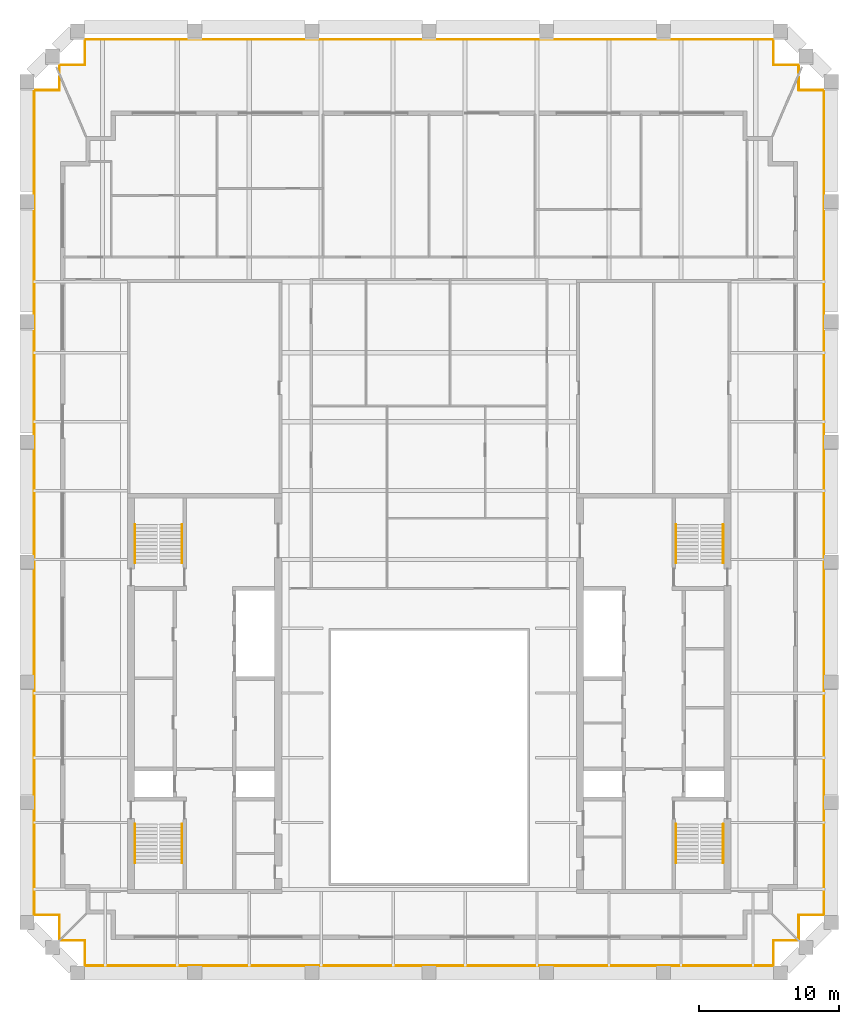
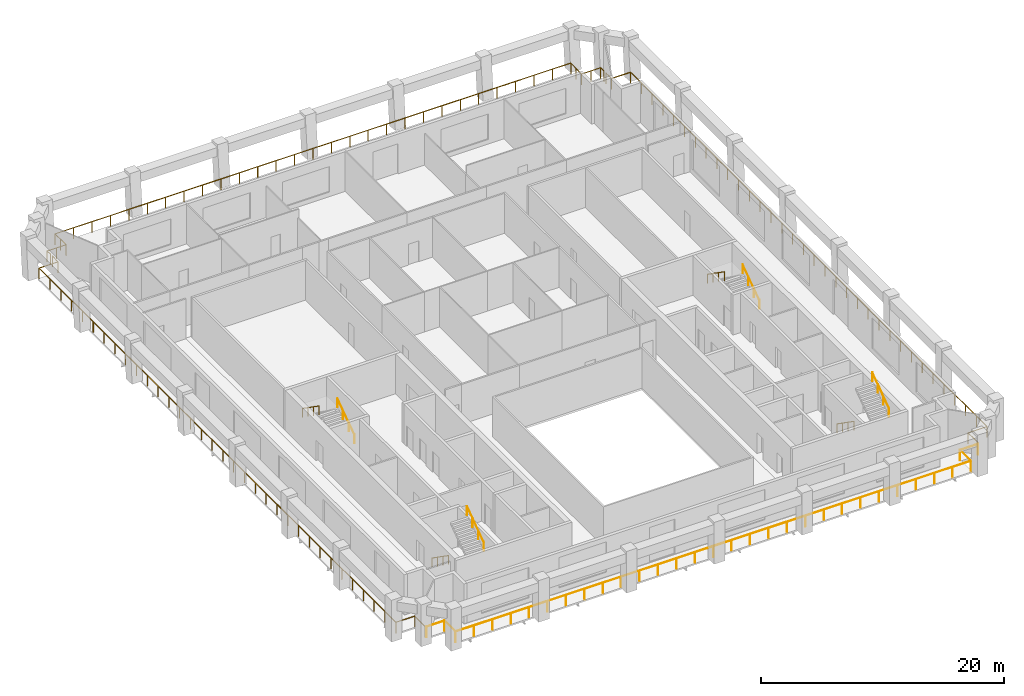
# One storey, part 8 of 8: 12 railings.
"""IFC4 building model written with IfcOpenShell, lengths in metres."""

import ifcopenshell
import ifcopenshell.guid

model = None  # the IFC model being written
_history = None  # IfcOwnerHistory: only IFC2X3 demands one
_inside = {}  # id of a spatial element -> (the spatial element, [elements in it])
_under = {}  # id of a project, library or spatial element -> (it, [spatial elements below it])
_declared = {}  # id of a project -> (the project, [libraries it declares])
_typed = {}  # id of a type object -> (the type object, [elements of that type])
_made_of = {}  # id of a material, layer set ... -> (it, [elements and type objects made of it])


def new_model(schema):
    """Start an empty IFC model of exactly this schema.

    Asked for "IFC4X3", IfcOpenShell would pick the latest addendum, in which some entities
    have other attributes; the version numbers below select the first issue.
    IFC2X3 requires an IfcOwnerHistory on every rooted entity: one is made here for all.
    """
    global model, _history
    if schema == "IFC4X3":
        model = ifcopenshell.file(schema_version=(4, 3, 0, 0))
    else:
        model = ifcopenshell.file(schema=schema)
    _inside.clear()
    _under.clear()
    _declared.clear()
    _typed.clear()
    _made_of.clear()
    _history = None
    if model.schema == "IFC2X3":
        org = make("IfcOrganization", Name="unknown")
        user = make(
            "IfcPersonAndOrganization",
            ThePerson=make("IfcPerson", FamilyName="unknown"),
            TheOrganization=org,
        )
        app = make(
            "IfcApplication",
            ApplicationDeveloper=org,
            Version="unknown",
            ApplicationFullName="unknown",
            ApplicationIdentifier="unknown",
        )
        _history = make(
            "IfcOwnerHistory",
            OwningUser=user,
            OwningApplication=app,
            ChangeAction="ADDED",
            CreationDate=0,
        )
    return model


def make(cls, **values):
    """One entity of the class cls with the attributes given. An attribute that is None is left unset."""
    return model.create_entity(
        cls, **{name: value for name, value in values.items() if value is not None}
    )


def rooted(cls, **values):
    """An entity with a GlobalId (a new one), such as an element, a storey or a relation."""
    return make(cls, GlobalId=ifcopenshell.guid.new(), OwnerHistory=_history, **values)


def si_unit(unit_type, name, prefix=None):
    """IfcSIUnit, for example si_unit("LENGTHUNIT", "METRE", prefix="MILLI")."""
    return make("IfcSIUnit", UnitType=unit_type, Prefix=prefix, Name=name)


def assignment(units):
    """IfcUnitAssignment: the units of a project."""
    return None if units is None else make("IfcUnitAssignment", Units=units)


def point(xyz):
    """IfcCartesianPoint."""
    return None if xyz is None else make("IfcCartesianPoint", Coordinates=xyz)


def direction(xyz):
    """IfcDirection."""
    return None if xyz is None else make("IfcDirection", DirectionRatios=xyz)


def frame(location, z_axis=None, x_axis=None):
    """IfcAxis2Placement3D, a coordinate frame: its origin and axes. An axis left out is left unset."""
    return make(
        "IfcAxis2Placement3D",
        Location=point(location),
        Axis=direction(z_axis),
        RefDirection=direction(x_axis),
    )


def frame_2d(location, x_axis=None):
    """IfcAxis2Placement2D, a coordinate frame in the plane: its origin and x axis."""
    return make(
        "IfcAxis2Placement2D", Location=point(location), RefDirection=direction(x_axis)
    )


def origin():
    """The frame at (0, 0, 0) with its axes left unset."""
    return frame((0.0, 0.0, 0.0))


def origin_2d():
    """The frame at (0, 0) in the plane with its x axis left unset."""
    return frame_2d((0.0, 0.0))


def place(relative_to, where):
    """IfcLocalPlacement: puts the frame where relative to a parent placement (None: the world)."""
    return make(
        "IfcLocalPlacement", PlacementRelTo=relative_to, RelativePlacement=where
    )


def context(
    kind, dimensions, precision=None, world=None, true_north=None, identifier=None
):
    """IfcGeometricRepresentationContext, for example the 3D "Model" context."""
    return make(
        "IfcGeometricRepresentationContext",
        ContextIdentifier=identifier,
        ContextType=kind,
        CoordinateSpaceDimension=dimensions,
        Precision=precision,
        WorldCoordinateSystem=world,
        TrueNorth=true_north,
    )


def subcontext(parent, identifier, kind, view, scale=None):
    """IfcGeometricRepresentationSubContext, for example "Body" below "Model"."""
    return make(
        "IfcGeometricRepresentationSubContext",
        ContextIdentifier=identifier,
        ContextType=kind,
        ParentContext=parent,
        TargetScale=scale,
        TargetView=view,
    )


def project(units=None, contexts=None):
    """IfcProject with its units and contexts."""
    return rooted(
        "IfcProject",
        Name="project",
        RepresentationContexts=contexts,
        UnitsInContext=assignment(units),
    )


def spatial(cls, under=None, at=None, **own):
    """A site, building, storey or space (cls), placed at a placement, below another one or the project."""
    s = rooted(cls, ObjectPlacement=at, **own)
    if under is not None:
        _under.setdefault(under.id(), (under, []))[1].append(s)
    return s


def profile(cls, at=None, kind="AREA", **sizes):
    """A parametric profile (cls). Its sizes go by their IFC names, for example OverallWidth=200.0."""
    return make(cls, ProfileType=kind, Position=at, **sizes)


def circle(**sizes):
    """IfcCircleProfileDef."""
    return profile("IfcCircleProfileDef", **sizes)


def extrude(swept, where, along, depth):
    """IfcExtrudedAreaSolid: the profile swept, set in the frame where, extruded along a direction by depth."""
    return make(
        "IfcExtrudedAreaSolid",
        SweptArea=swept,
        Position=where,
        ExtrudedDirection=direction(along),
        Depth=depth,
    )


def shape(context_of_items, identifier, shape_type, items):
    """IfcShapeRepresentation: the items that make up one representation, for example the "Body"."""
    return make(
        "IfcShapeRepresentation",
        ContextOfItems=context_of_items,
        RepresentationIdentifier=identifier,
        RepresentationType=shape_type,
        Items=items,
    )


def material(Name=None, Category=None):
    """IfcMaterial."""
    return make("IfcMaterial", Name=Name, Category=Category)


def made_of(thing, what):
    """Note that an element or type object is made of a material, layer set ...; save() writes the relation."""
    if what is not None:
        _made_of.setdefault(what.id(), (what, []))[1].append(thing)
    return thing


def type_object(cls, material=None, **own):
    """A type object (cls), such as IfcWallType, which elements share."""
    return made_of(rooted(cls, **own), material)


def element(
    cls,
    number,
    at=None,
    inside=None,
    cuts=None,
    type_object=None,
    material=None,
    context=None,
    identifier="Body",
    shape_type=None,
    held_by="IfcProductDefinitionShape",
    body=None,
    shapes=None,
    **own,
):
    """One element of the class cls, such as IfcWall. Its Tag is "e" and its number.

    at: its placement. inside: the storey or other place that contains it. cuts: it is an
    opening in that element (IfcRelVoidsElement). A single representation is given by context,
    identifier, shape_type and body (its items); several are given by shapes. held_by: the class
    of the entity that holds the representations. save() writes the other relations.
    """
    e = rooted(cls, Tag="e%d" % number, ObjectPlacement=at, **own)
    if body is not None:
        shapes = [shape(context, identifier, shape_type, body)]
    if shapes is not None:
        e.Representation = make(held_by, Representations=shapes)
    if inside is not None:
        _inside.setdefault(inside.id(), (inside, []))[1].append(e)
    if cuts is not None:
        rooted(
            "IfcRelVoidsElement", RelatingBuildingElement=cuts, RelatedOpeningElement=e
        )
    if type_object is not None:
        _typed.setdefault(type_object.id(), (type_object, []))[1].append(e)
    return made_of(e, material)


def aggregate(whole, parts):
    """IfcRelAggregates: a whole, such as a stair, and the parts it consists of."""
    return rooted("IfcRelAggregates", RelatingObject=whole, RelatedObjects=parts)


def save(model, path):
    """Write the relations noted so far, then the file.

    IfcRelAggregates (storeys below a building ...), IfcRelContainedInSpatialStructure (elements
    in a storey), IfcRelDefinesByType, IfcRelAssociatesMaterial and IfcRelDeclares: one each for
    every whole, place, type object, material and project.
    """
    for whole, parts in _under.values():
        aggregate(whole, parts)
    for where, things in _inside.values():
        rooted(
            "IfcRelContainedInSpatialStructure",
            RelatedElements=things,
            RelatingStructure=where,
        )
    for kind, things in _typed.values():
        rooted("IfcRelDefinesByType", RelatedObjects=things, RelatingType=kind)
    for what, things in _made_of.values():
        rooted("IfcRelAssociatesMaterial", RelatedObjects=things, RelatingMaterial=what)
    for by, libraries in _declared.values():
        rooted("IfcRelDeclares", RelatingContext=by, RelatedDefinitions=libraries)
    model.write(path)


model = new_model("IFC4")

# Units and contexts
model_context = context("Model", 3, precision=1e-05, world=origin(), true_north=direction((0.0, 1.0)))
body_context = subcontext(model_context, "Body", "Model", "MODEL_VIEW")
ifc_project = project(units=[si_unit("LENGTHUNIT", "METRE"), si_unit("AREAUNIT", "SQUARE_METRE"), si_unit("VOLUMEUNIT", "CUBIC_METRE"), si_unit("PLANEANGLEUNIT", "RADIAN"), si_unit("MASSUNIT", "GRAM", prefix="KILO")], contexts=[model_context])

# Site, building, storey
site_placement = place(None, origin())
site = spatial("IfcSite", under=ifc_project, at=site_placement, CompositionType="ELEMENT")
building_placement = place(site_placement, origin())
building = spatial("IfcBuilding", under=site, at=building_placement, Name="Ogive Exchange Tower", CompositionType="ELEMENT")
storey_placement = place(building_placement, frame((0.0, 0.0, 338.39990234375)))
storey = spatial("IfcBuildingStorey", under=building, at=storey_placement, Name="L74", CompositionType="ELEMENT", Elevation=338.39990234375)

# Railings
ifc_material_1 = material(Name="Stainless steel 316", Category="steel")
railing_type_1 = type_object("IfcRailingType", Name="Guard 1100 stainless steel and glass", PredefinedType="GUARDRAIL", material=ifc_material_1)
railing_1_placement = place(storey_placement, frame((26.238037109375, -6.080078125, -0.0498046875)))
element("IfcRailing", 1, at=railing_1_placement, inside=storey, type_object=railing_type_1, Name="Loggia guard 1", PredefinedType="GUARDRAIL", context=body_context, shape_type="SweptSolid", body=[
    extrude(circle(Radius=0.02392578125, at=origin_2d()), frame((0.0, 0.0, 1.076171875), z_axis=(-1.0, 0.0, 0.0), x_axis=(0.0, -1.0, 0.0)), (0.0, 0.0, 1.0), 1.7080078125),
    extrude(circle(Radius=0.02392578125, at=origin_2d()), frame((-1.7080078125, 0.0, 1.076171875), z_axis=(0.0, -1.0, 0.0), x_axis=(1.0, 0.0, 0.0)), (0.0, 0.0, 1.0), 1.7998046875),
    extrude(circle(Radius=0.02392578125, at=origin_2d()), frame((-1.7080078125, -1.7998046875, 1.076171875), z_axis=(-1.0, 0.0, 0.0), x_axis=(0.0, -1.0, 0.0)), (0.0, 0.0, 1.0), 49.06005859375),
    extrude(circle(Radius=0.02392578125, at=origin_2d()), frame((-50.76806640625, -1.7998046875, 1.076171875), z_axis=(0.0, 1.0, 0.0), x_axis=(-1.0, 0.0, 0.0)), (0.0, 0.0, 1.0), 1.7998046875),
    extrude(circle(Radius=0.02392578125, at=origin_2d()), frame((-50.76806640625, 0.0, 1.076171875), z_axis=(-1.0, 0.0, 0.0), x_axis=(0.0, -1.0, 0.0)), (0.0, 0.0, 1.0), 1.7080078125),
    extrude(circle(Radius=0.02099609375, at=origin_2d()), origin(), (0.0, 0.0, 1.0), 1.052001953125),
    extrude(circle(Radius=0.02099609375, at=origin_2d()), frame((-1.7080078125, 0.0, 0.0)), (0.0, 0.0, 1.0), 1.052001953125),
    extrude(circle(Radius=0.02099609375, at=origin_2d()), frame((-1.7080078125, -1.7998046875, 0.0)), (0.0, 0.0, 1.0), 1.052001953125),
    extrude(circle(Radius=0.02099609375, at=origin_2d()), frame((-3.460205078125, -1.7998046875, 0.0)), (0.0, 0.0, 1.0), 1.052001953125),
    extrude(circle(Radius=0.02099609375, at=origin_2d()), frame((-5.21240234375, -1.7998046875, 0.0)), (0.0, 0.0, 1.0), 1.052001953125),
    extrude(circle(Radius=0.02099609375, at=origin_2d()), frame((-6.96435546875, -1.7998046875, 0.0)), (0.0, 0.0, 1.0), 1.052001953125),
    extrude(circle(Radius=0.02099609375, at=origin_2d()), frame((-8.716552734375, -1.7998046875, 0.0)), (0.0, 0.0, 1.0), 1.052001953125),
    extrude(circle(Radius=0.02099609375, at=origin_2d()), frame((-10.46875, -1.7998046875, 0.0)), (0.0, 0.0, 1.0), 1.052001953125),
    extrude(circle(Radius=0.02099609375, at=origin_2d()), frame((-12.220947265625, -1.7998046875, 0.0)), (0.0, 0.0, 1.0), 1.052001953125),
    extrude(circle(Radius=0.02099609375, at=origin_2d()), frame((-13.97314453125, -1.7998046875, 0.0)), (0.0, 0.0, 1.0), 1.052001953125),
    extrude(circle(Radius=0.02099609375, at=origin_2d()), frame((-15.72509765625, -1.7998046875, 0.0)), (0.0, 0.0, 1.0), 1.052001953125),
    extrude(circle(Radius=0.02099609375, at=origin_2d()), frame((-17.477294921875, -1.7998046875, 0.0)), (0.0, 0.0, 1.0), 1.052001953125),
    extrude(circle(Radius=0.02099609375, at=origin_2d()), frame((-19.2294921875, -1.7998046875, 0.0)), (0.0, 0.0, 1.0), 1.052001953125),
    extrude(circle(Radius=0.02099609375, at=origin_2d()), frame((-20.981689453125, -1.7998046875, 0.0)), (0.0, 0.0, 1.0), 1.052001953125),
    extrude(circle(Radius=0.02099609375, at=origin_2d()), frame((-22.733642578125, -1.7998046875, 0.0)), (0.0, 0.0, 1.0), 1.052001953125),
    extrude(circle(Radius=0.02099609375, at=origin_2d()), frame((-24.48583984375, -1.7998046875, 0.0)), (0.0, 0.0, 1.0), 1.052001953125),
    extrude(circle(Radius=0.02099609375, at=origin_2d()), frame((-26.238037109375, -1.7998046875, 0.0)), (0.0, 0.0, 1.0), 1.052001953125),
    extrude(circle(Radius=0.02099609375, at=origin_2d()), frame((-27.990234375, -1.7998046875, 0.0)), (0.0, 0.0, 1.0), 1.052001953125),
    extrude(circle(Radius=0.02099609375, at=origin_2d()), frame((-29.742431640625, -1.7998046875, 0.0)), (0.0, 0.0, 1.0), 1.052001953125),
    extrude(circle(Radius=0.02099609375, at=origin_2d()), frame((-31.494384765625, -1.7998046875, 0.0)), (0.0, 0.0, 1.0), 1.052001953125),
    extrude(circle(Radius=0.02099609375, at=origin_2d()), frame((-33.24658203125, -1.7998046875, 0.0)), (0.0, 0.0, 1.0), 1.052001953125),
    extrude(circle(Radius=0.02099609375, at=origin_2d()), frame((-34.998779296875, -1.7998046875, 0.0)), (0.0, 0.0, 1.0), 1.052001953125),
    extrude(circle(Radius=0.02099609375, at=origin_2d()), frame((-36.7509765625, -1.7998046875, 0.0)), (0.0, 0.0, 1.0), 1.052001953125),
    extrude(circle(Radius=0.02099609375, at=origin_2d()), frame((-38.5029296875, -1.7998046875, 0.0)), (0.0, 0.0, 1.0), 1.052001953125),
    extrude(circle(Radius=0.02099609375, at=origin_2d()), frame((-40.255126953125, -1.7998046875, 0.0)), (0.0, 0.0, 1.0), 1.052001953125),
    extrude(circle(Radius=0.02099609375, at=origin_2d()), frame((-42.00732421875, -1.7998046875, 0.0)), (0.0, 0.0, 1.0), 1.052001953125),
    extrude(circle(Radius=0.02099609375, at=origin_2d()), frame((-43.759521484375, -1.7998046875, 0.0)), (0.0, 0.0, 1.0), 1.052001953125),
    extrude(circle(Radius=0.02099609375, at=origin_2d()), frame((-45.51171875, -1.7998046875, 0.0)), (0.0, 0.0, 1.0), 1.052001953125),
    extrude(circle(Radius=0.02099609375, at=origin_2d()), frame((-47.263671875, -1.7998046875, 0.0)), (0.0, 0.0, 1.0), 1.052001953125),
    extrude(circle(Radius=0.02099609375, at=origin_2d()), frame((-49.015869140625, -1.7998046875, 0.0)), (0.0, 0.0, 1.0), 1.052001953125),
    extrude(circle(Radius=0.02099609375, at=origin_2d()), frame((-50.76806640625, -1.7998046875, 0.0)), (0.0, 0.0, 1.0), 1.052001953125),
    extrude(circle(Radius=0.02099609375, at=origin_2d()), frame((-50.76806640625, 0.0, 0.0)), (0.0, 0.0, 1.0), 1.052001953125),
    extrude(circle(Radius=0.02099609375, at=origin_2d()), frame((-52.47607421875, 0.0, 0.0)), (0.0, 0.0, 1.0), 1.052001953125),
])
railing_2_placement = place(storey_placement, frame((-26.330078125, -5.988037109375, -0.0498046875)))
element("IfcRailing", 2, at=railing_2_placement, inside=storey, type_object=railing_type_1, Name="Loggia guard 2", PredefinedType="GUARDRAIL", context=body_context, shape_type="SweptSolid", body=[
    extrude(circle(Radius=0.02392578125, at=origin_2d()), frame((0.0, 0.0, 1.076171875), z_axis=(0.0, 1.0, 0.0), x_axis=(-1.0, 0.0, 0.0)), (0.0, 0.0, 1.0), 1.7080078125),
    extrude(circle(Radius=0.02392578125, at=origin_2d()), frame((0.0, 1.7080078125, 1.076171875), z_axis=(-1.0, 0.0, 0.0), x_axis=(0.0, -1.0, 0.0)), (0.0, 0.0, 1.0), 1.7998046875),
    extrude(circle(Radius=0.02392578125, at=origin_2d()), frame((-1.7998046875, 1.7080078125, 1.076171875), z_axis=(0.0, 1.0, 0.0), x_axis=(-1.0, 0.0, 0.0)), (0.0, 0.0, 1.0), 58.7783203125),
    extrude(circle(Radius=0.02392578125, at=origin_2d()), frame((-1.7998046875, 60.486328125, 1.076171875), z_axis=(1.0, 0.0, 0.0), x_axis=(0.0, 1.0, 0.0)), (0.0, 0.0, 1.0), 1.7998046875),
    extrude(circle(Radius=0.02392578125, at=origin_2d()), frame((0.0, 60.486328125, 1.076171875), z_axis=(0.0, 1.0, 0.0), x_axis=(-1.0, 0.0, 0.0)), (0.0, 0.0, 1.0), 0.93701171875),
    extrude(circle(Radius=0.02099609375, at=origin_2d()), origin(), (0.0, 0.0, 1.0), 1.052001953125),
    extrude(circle(Radius=0.02099609375, at=origin_2d()), frame((0.0, 1.7080078125, 0.0)), (0.0, 0.0, 1.0), 1.052001953125),
    extrude(circle(Radius=0.02099609375, at=origin_2d()), frame((-1.7998046875, 1.7080078125, 0.0)), (0.0, 0.0, 1.0), 1.052001953125),
    extrude(circle(Radius=0.02099609375, at=origin_2d()), frame((-1.7998046875, 3.4892578125, 0.0)), (0.0, 0.0, 1.0), 1.052001953125),
    extrude(circle(Radius=0.02099609375, at=origin_2d()), frame((-1.7998046875, 5.270263671875, 0.0)), (0.0, 0.0, 1.0), 1.052001953125),
    extrude(circle(Radius=0.02099609375, at=origin_2d()), frame((-1.7998046875, 7.051513671875, 0.0)), (0.0, 0.0, 1.0), 1.052001953125),
    extrude(circle(Radius=0.02099609375, at=origin_2d()), frame((-1.7998046875, 8.832763671875, 0.0)), (0.0, 0.0, 1.0), 1.052001953125),
    extrude(circle(Radius=0.02099609375, at=origin_2d()), frame((-1.7998046875, 10.61376953125, 0.0)), (0.0, 0.0, 1.0), 1.052001953125),
    extrude(circle(Radius=0.02099609375, at=origin_2d()), frame((-1.7998046875, 12.39501953125, 0.0)), (0.0, 0.0, 1.0), 1.052001953125),
    extrude(circle(Radius=0.02099609375, at=origin_2d()), frame((-1.7998046875, 14.176025390625, 0.0)), (0.0, 0.0, 1.0), 1.052001953125),
    extrude(circle(Radius=0.02099609375, at=origin_2d()), frame((-1.7998046875, 15.957275390625, 0.0)), (0.0, 0.0, 1.0), 1.052001953125),
    extrude(circle(Radius=0.02099609375, at=origin_2d()), frame((-1.7998046875, 17.738525390625, 0.0)), (0.0, 0.0, 1.0), 1.052001953125),
    extrude(circle(Radius=0.02099609375, at=origin_2d()), frame((-1.7998046875, 19.51953125, 0.0)), (0.0, 0.0, 1.0), 1.052001953125),
    extrude(circle(Radius=0.02099609375, at=origin_2d()), frame((-1.7998046875, 21.30078125, 0.0)), (0.0, 0.0, 1.0), 1.052001953125),
    extrude(circle(Radius=0.02099609375, at=origin_2d()), frame((-1.7998046875, 23.08203125, 0.0)), (0.0, 0.0, 1.0), 1.052001953125),
    extrude(circle(Radius=0.02099609375, at=origin_2d()), frame((-1.7998046875, 24.863037109375, 0.0)), (0.0, 0.0, 1.0), 1.052001953125),
    extrude(circle(Radius=0.02099609375, at=origin_2d()), frame((-1.7998046875, 26.644287109375, 0.0)), (0.0, 0.0, 1.0), 1.052001953125),
    extrude(circle(Radius=0.02099609375, at=origin_2d()), frame((-1.7998046875, 28.425537109375, 0.0)), (0.0, 0.0, 1.0), 1.052001953125),
    extrude(circle(Radius=0.02099609375, at=origin_2d()), frame((-1.7998046875, 30.20654296875, 0.0)), (0.0, 0.0, 1.0), 1.052001953125),
    extrude(circle(Radius=0.02099609375, at=origin_2d()), frame((-1.7998046875, 31.98779296875, 0.0)), (0.0, 0.0, 1.0), 1.052001953125),
    extrude(circle(Radius=0.02099609375, at=origin_2d()), frame((-1.7998046875, 33.768798828125, 0.0)), (0.0, 0.0, 1.0), 1.052001953125),
    extrude(circle(Radius=0.02099609375, at=origin_2d()), frame((-1.7998046875, 35.550048828125, 0.0)), (0.0, 0.0, 1.0), 1.052001953125),
    extrude(circle(Radius=0.02099609375, at=origin_2d()), frame((-1.7998046875, 37.331298828125, 0.0)), (0.0, 0.0, 1.0), 1.052001953125),
    extrude(circle(Radius=0.02099609375, at=origin_2d()), frame((-1.7998046875, 39.1123046875, 0.0)), (0.0, 0.0, 1.0), 1.052001953125),
    extrude(circle(Radius=0.02099609375, at=origin_2d()), frame((-1.7998046875, 40.8935546875, 0.0)), (0.0, 0.0, 1.0), 1.052001953125),
    extrude(circle(Radius=0.02099609375, at=origin_2d()), frame((-1.7998046875, 42.6748046875, 0.0)), (0.0, 0.0, 1.0), 1.052001953125),
    extrude(circle(Radius=0.02099609375, at=origin_2d()), frame((-1.7998046875, 44.455810546875, 0.0)), (0.0, 0.0, 1.0), 1.052001953125),
    extrude(circle(Radius=0.02099609375, at=origin_2d()), frame((-1.7998046875, 46.237060546875, 0.0)), (0.0, 0.0, 1.0), 1.052001953125),
    extrude(circle(Radius=0.02099609375, at=origin_2d()), frame((-1.7998046875, 48.018310546875, 0.0)), (0.0, 0.0, 1.0), 1.052001953125),
    extrude(circle(Radius=0.02099609375, at=origin_2d()), frame((-1.7998046875, 49.79931640625, 0.0)), (0.0, 0.0, 1.0), 1.052001953125),
    extrude(circle(Radius=0.02099609375, at=origin_2d()), frame((-1.7998046875, 51.58056640625, 0.0)), (0.0, 0.0, 1.0), 1.052001953125),
    extrude(circle(Radius=0.02099609375, at=origin_2d()), frame((-1.7998046875, 53.361572265625, 0.0)), (0.0, 0.0, 1.0), 1.052001953125),
    extrude(circle(Radius=0.02099609375, at=origin_2d()), frame((-1.7998046875, 55.142822265625, 0.0)), (0.0, 0.0, 1.0), 1.052001953125),
    extrude(circle(Radius=0.02099609375, at=origin_2d()), frame((-1.7998046875, 56.924072265625, 0.0)), (0.0, 0.0, 1.0), 1.052001953125),
    extrude(circle(Radius=0.02099609375, at=origin_2d()), frame((-1.7998046875, 58.705078125, 0.0)), (0.0, 0.0, 1.0), 1.052001953125),
    extrude(circle(Radius=0.02099609375, at=origin_2d()), frame((-1.7998046875, 60.486328125, 0.0)), (0.0, 0.0, 1.0), 1.052001953125),
    extrude(circle(Radius=0.02099609375, at=origin_2d()), frame((0.0, 60.486328125, 0.0)), (0.0, 0.0, 1.0), 1.052001953125),
    extrude(circle(Radius=0.02099609375, at=origin_2d()), frame((0.0, 61.42333984375, 0.0)), (0.0, 0.0, 1.0), 1.052001953125),
])
railing_3_placement = place(storey_placement, frame((-26.330078125, 55.766357421875, -0.0498046875)))
element("IfcRailing", 3, at=railing_3_placement, inside=storey, type_object=railing_type_1, Name="Loggia guard 3", PredefinedType="GUARDRAIL", context=body_context, shape_type="SweptSolid", body=[
    extrude(circle(Radius=0.02392578125, at=origin_2d()), frame((0.0, 0.0, 1.076171875), z_axis=(0.0, 1.0, 0.0), x_axis=(-1.0, 0.0, 0.0)), (0.0, 0.0, 1.0), 0.53173828125),
    extrude(circle(Radius=0.02392578125, at=origin_2d()), frame((0.0, 0.53173828125, 1.076171875), z_axis=(1.0, 0.0, 0.0), x_axis=(0.0, 1.0, 0.0)), (0.0, 0.0, 1.0), 1.800048828125),
    extrude(circle(Radius=0.02392578125, at=origin_2d()), frame((1.800048828125, 0.53173828125, 1.076171875), z_axis=(0.0, 1.0, 0.0), x_axis=(-1.0, 0.0, 0.0)), (0.0, 0.0, 1.0), 1.800048828125),
    extrude(circle(Radius=0.02392578125, at=origin_2d()), frame((1.800048828125, 2.331787109375, 1.076171875), z_axis=(1.0, 0.0, 0.0), x_axis=(0.0, 1.0, 0.0)), (0.0, 0.0, 1.0), 49.06005859375),
    extrude(circle(Radius=0.02392578125, at=origin_2d()), frame((50.860107421875, 2.331787109375, 1.076171875), z_axis=(0.0, -1.0, 0.0), x_axis=(1.0, 0.0, 0.0)), (0.0, 0.0, 1.0), 1.800048828125),
    extrude(circle(Radius=0.02392578125, at=origin_2d()), frame((50.860107421875, 0.53173828125, 1.076171875), z_axis=(1.0, 0.0, 0.0), x_axis=(0.0, 1.0, 0.0)), (0.0, 0.0, 1.0), 1.800048828125),
    extrude(circle(Radius=0.02392578125, at=origin_2d()), frame((52.66015625, 0.53173828125, 1.076171875), z_axis=(0.0, -1.0, 0.0), x_axis=(1.0, 0.0, 0.0)), (0.0, 0.0, 1.0), 0.53173828125),
    extrude(circle(Radius=0.02099609375, at=origin_2d()), origin(), (0.0, 0.0, 1.0), 1.052001953125),
    extrude(circle(Radius=0.02099609375, at=origin_2d()), frame((0.0, 0.53173828125, 0.0)), (0.0, 0.0, 1.0), 1.052001953125),
    extrude(circle(Radius=0.02099609375, at=origin_2d()), frame((0.89990234375, 0.53173828125, 0.0)), (0.0, 0.0, 1.0), 1.052001953125),
    extrude(circle(Radius=0.02099609375, at=origin_2d()), frame((1.800048828125, 0.53173828125, 0.0)), (0.0, 0.0, 1.0), 1.052001953125),
    extrude(circle(Radius=0.02099609375, at=origin_2d()), frame((1.800048828125, 1.431640625, 0.0)), (0.0, 0.0, 1.0), 1.052001953125),
    extrude(circle(Radius=0.02099609375, at=origin_2d()), frame((1.800048828125, 2.331787109375, 0.0)), (0.0, 0.0, 1.0), 1.052001953125),
    extrude(circle(Radius=0.02099609375, at=origin_2d()), frame((3.55224609375, 2.331787109375, 0.0)), (0.0, 0.0, 1.0), 1.052001953125),
    extrude(circle(Radius=0.02099609375, at=origin_2d()), frame((5.304443359375, 2.331787109375, 0.0)), (0.0, 0.0, 1.0), 1.052001953125),
    extrude(circle(Radius=0.02099609375, at=origin_2d()), frame((7.056396484375, 2.331787109375, 0.0)), (0.0, 0.0, 1.0), 1.052001953125),
    extrude(circle(Radius=0.02099609375, at=origin_2d()), frame((8.80859375, 2.331787109375, 0.0)), (0.0, 0.0, 1.0), 1.052001953125),
    extrude(circle(Radius=0.02099609375, at=origin_2d()), frame((10.560791015625, 2.331787109375, 0.0)), (0.0, 0.0, 1.0), 1.052001953125),
    extrude(circle(Radius=0.02099609375, at=origin_2d()), frame((12.31298828125, 2.331787109375, 0.0)), (0.0, 0.0, 1.0), 1.052001953125),
    extrude(circle(Radius=0.02099609375, at=origin_2d()), frame((14.06494140625, 2.331787109375, 0.0)), (0.0, 0.0, 1.0), 1.052001953125),
    extrude(circle(Radius=0.02099609375, at=origin_2d()), frame((15.817138671875, 2.331787109375, 0.0)), (0.0, 0.0, 1.0), 1.052001953125),
    extrude(circle(Radius=0.02099609375, at=origin_2d()), frame((17.5693359375, 2.331787109375, 0.0)), (0.0, 0.0, 1.0), 1.052001953125),
    extrude(circle(Radius=0.02099609375, at=origin_2d()), frame((19.321533203125, 2.331787109375, 0.0)), (0.0, 0.0, 1.0), 1.052001953125),
    extrude(circle(Radius=0.02099609375, at=origin_2d()), frame((21.07373046875, 2.331787109375, 0.0)), (0.0, 0.0, 1.0), 1.052001953125),
    extrude(circle(Radius=0.02099609375, at=origin_2d()), frame((22.82568359375, 2.331787109375, 0.0)), (0.0, 0.0, 1.0), 1.052001953125),
    extrude(circle(Radius=0.02099609375, at=origin_2d()), frame((24.577880859375, 2.331787109375, 0.0)), (0.0, 0.0, 1.0), 1.052001953125),
    extrude(circle(Radius=0.02099609375, at=origin_2d()), frame((26.330078125, 2.331787109375, 0.0)), (0.0, 0.0, 1.0), 1.052001953125),
    extrude(circle(Radius=0.02099609375, at=origin_2d()), frame((28.082275390625, 2.331787109375, 0.0)), (0.0, 0.0, 1.0), 1.052001953125),
    extrude(circle(Radius=0.02099609375, at=origin_2d()), frame((29.83447265625, 2.331787109375, 0.0)), (0.0, 0.0, 1.0), 1.052001953125),
    extrude(circle(Radius=0.02099609375, at=origin_2d()), frame((31.58642578125, 2.331787109375, 0.0)), (0.0, 0.0, 1.0), 1.052001953125),
    extrude(circle(Radius=0.02099609375, at=origin_2d()), frame((33.338623046875, 2.331787109375, 0.0)), (0.0, 0.0, 1.0), 1.052001953125),
    extrude(circle(Radius=0.02099609375, at=origin_2d()), frame((35.0908203125, 2.331787109375, 0.0)), (0.0, 0.0, 1.0), 1.052001953125),
    extrude(circle(Radius=0.02099609375, at=origin_2d()), frame((36.843017578125, 2.331787109375, 0.0)), (0.0, 0.0, 1.0), 1.052001953125),
    extrude(circle(Radius=0.02099609375, at=origin_2d()), frame((38.59521484375, 2.331787109375, 0.0)), (0.0, 0.0, 1.0), 1.052001953125),
    extrude(circle(Radius=0.02099609375, at=origin_2d()), frame((40.34716796875, 2.331787109375, 0.0)), (0.0, 0.0, 1.0), 1.052001953125),
    extrude(circle(Radius=0.02099609375, at=origin_2d()), frame((42.099365234375, 2.331787109375, 0.0)), (0.0, 0.0, 1.0), 1.052001953125),
    extrude(circle(Radius=0.02099609375, at=origin_2d()), frame((43.8515625, 2.331787109375, 0.0)), (0.0, 0.0, 1.0), 1.052001953125),
    extrude(circle(Radius=0.02099609375, at=origin_2d()), frame((45.603759765625, 2.331787109375, 0.0)), (0.0, 0.0, 1.0), 1.052001953125),
    extrude(circle(Radius=0.02099609375, at=origin_2d()), frame((47.355712890625, 2.331787109375, 0.0)), (0.0, 0.0, 1.0), 1.052001953125),
    extrude(circle(Radius=0.02099609375, at=origin_2d()), frame((49.10791015625, 2.331787109375, 0.0)), (0.0, 0.0, 1.0), 1.052001953125),
    extrude(circle(Radius=0.02099609375, at=origin_2d()), frame((50.860107421875, 2.331787109375, 0.0)), (0.0, 0.0, 1.0), 1.052001953125),
    extrude(circle(Radius=0.02099609375, at=origin_2d()), frame((50.860107421875, 1.431640625, 0.0)), (0.0, 0.0, 1.0), 1.052001953125),
    extrude(circle(Radius=0.02099609375, at=origin_2d()), frame((50.860107421875, 0.53173828125, 0.0)), (0.0, 0.0, 1.0), 1.052001953125),
    extrude(circle(Radius=0.02099609375, at=origin_2d()), frame((51.76025390625, 0.53173828125, 0.0)), (0.0, 0.0, 1.0), 1.052001953125),
    extrude(circle(Radius=0.02099609375, at=origin_2d()), frame((52.66015625, 0.53173828125, 0.0)), (0.0, 0.0, 1.0), 1.052001953125),
    extrude(circle(Radius=0.02099609375, at=origin_2d()), frame((52.66015625, 0.0, 0.0)), (0.0, 0.0, 1.0), 1.052001953125),
])
railing_4_placement = place(storey_placement, frame((26.330078125, 55.435302734375, -0.0498046875)))
element("IfcRailing", 4, at=railing_4_placement, inside=storey, type_object=railing_type_1, Name="Loggia guard 4", PredefinedType="GUARDRAIL", context=body_context, shape_type="SweptSolid", body=[
    extrude(circle(Radius=0.02392578125, at=origin_2d()), frame((0.0, 0.0, 1.076171875), z_axis=(0.0, -1.0, 0.0), x_axis=(1.0, 0.0, 0.0)), (0.0, 0.0, 1.0), 0.93701171875),
    extrude(circle(Radius=0.02392578125, at=origin_2d()), frame((0.0, -0.93701171875, 1.076171875), z_axis=(1.0, 0.0, 0.0), x_axis=(0.0, 1.0, 0.0)), (0.0, 0.0, 1.0), 1.7998046875),
    extrude(circle(Radius=0.02392578125, at=origin_2d()), frame((1.7998046875, -0.93701171875, 1.076171875), z_axis=(0.0, -1.0, 0.0), x_axis=(1.0, 0.0, 0.0)), (0.0, 0.0, 1.0), 58.7783203125),
    extrude(circle(Radius=0.02392578125, at=origin_2d()), frame((1.7998046875, -59.71533203125, 1.076171875), z_axis=(-1.0, 0.0, 0.0), x_axis=(0.0, -1.0, 0.0)), (0.0, 0.0, 1.0), 1.7998046875),
    extrude(circle(Radius=0.02392578125, at=origin_2d()), frame((0.0, -59.71533203125, 1.076171875), z_axis=(0.0, -1.0, 0.0), x_axis=(1.0, 0.0, 0.0)), (0.0, 0.0, 1.0), 1.7080078125),
    extrude(circle(Radius=0.02099609375, at=origin_2d()), origin(), (0.0, 0.0, 1.0), 1.052001953125),
    extrude(circle(Radius=0.02099609375, at=origin_2d()), frame((0.0, -0.93701171875, 0.0)), (0.0, 0.0, 1.0), 1.052001953125),
    extrude(circle(Radius=0.02099609375, at=origin_2d()), frame((1.7998046875, -0.93701171875, 0.0)), (0.0, 0.0, 1.0), 1.052001953125),
    extrude(circle(Radius=0.02099609375, at=origin_2d()), frame((1.7998046875, -2.71826171875, 0.0)), (0.0, 0.0, 1.0), 1.052001953125),
    extrude(circle(Radius=0.02099609375, at=origin_2d()), frame((1.7998046875, -4.499267578125, 0.0)), (0.0, 0.0, 1.0), 1.052001953125),
    extrude(circle(Radius=0.02099609375, at=origin_2d()), frame((1.7998046875, -6.280517578125, 0.0)), (0.0, 0.0, 1.0), 1.052001953125),
    extrude(circle(Radius=0.02099609375, at=origin_2d()), frame((1.7998046875, -8.061767578125, 0.0)), (0.0, 0.0, 1.0), 1.052001953125),
    extrude(circle(Radius=0.02099609375, at=origin_2d()), frame((1.7998046875, -9.8427734375, 0.0)), (0.0, 0.0, 1.0), 1.052001953125),
    extrude(circle(Radius=0.02099609375, at=origin_2d()), frame((1.7998046875, -11.6240234375, 0.0)), (0.0, 0.0, 1.0), 1.052001953125),
    extrude(circle(Radius=0.02099609375, at=origin_2d()), frame((1.7998046875, -13.405029296875, 0.0)), (0.0, 0.0, 1.0), 1.052001953125),
    extrude(circle(Radius=0.02099609375, at=origin_2d()), frame((1.7998046875, -15.186279296875, 0.0)), (0.0, 0.0, 1.0), 1.052001953125),
    extrude(circle(Radius=0.02099609375, at=origin_2d()), frame((1.7998046875, -16.967529296875, 0.0)), (0.0, 0.0, 1.0), 1.052001953125),
    extrude(circle(Radius=0.02099609375, at=origin_2d()), frame((1.7998046875, -18.74853515625, 0.0)), (0.0, 0.0, 1.0), 1.052001953125),
    extrude(circle(Radius=0.02099609375, at=origin_2d()), frame((1.7998046875, -20.52978515625, 0.0)), (0.0, 0.0, 1.0), 1.052001953125),
    extrude(circle(Radius=0.02099609375, at=origin_2d()), frame((1.7998046875, -22.31103515625, 0.0)), (0.0, 0.0, 1.0), 1.052001953125),
    extrude(circle(Radius=0.02099609375, at=origin_2d()), frame((1.7998046875, -24.092041015625, 0.0)), (0.0, 0.0, 1.0), 1.052001953125),
    extrude(circle(Radius=0.02099609375, at=origin_2d()), frame((1.7998046875, -25.873291015625, 0.0)), (0.0, 0.0, 1.0), 1.052001953125),
    extrude(circle(Radius=0.02099609375, at=origin_2d()), frame((1.7998046875, -27.654541015625, 0.0)), (0.0, 0.0, 1.0), 1.052001953125),
    extrude(circle(Radius=0.02099609375, at=origin_2d()), frame((1.7998046875, -29.435546875, 0.0)), (0.0, 0.0, 1.0), 1.052001953125),
    extrude(circle(Radius=0.02099609375, at=origin_2d()), frame((1.7998046875, -31.216796875, 0.0)), (0.0, 0.0, 1.0), 1.052001953125),
    extrude(circle(Radius=0.02099609375, at=origin_2d()), frame((1.7998046875, -32.997802734375, 0.0)), (0.0, 0.0, 1.0), 1.052001953125),
    extrude(circle(Radius=0.02099609375, at=origin_2d()), frame((1.7998046875, -34.779052734375, 0.0)), (0.0, 0.0, 1.0), 1.052001953125),
    extrude(circle(Radius=0.02099609375, at=origin_2d()), frame((1.7998046875, -36.560302734375, 0.0)), (0.0, 0.0, 1.0), 1.052001953125),
    extrude(circle(Radius=0.02099609375, at=origin_2d()), frame((1.7998046875, -38.34130859375, 0.0)), (0.0, 0.0, 1.0), 1.052001953125),
    extrude(circle(Radius=0.02099609375, at=origin_2d()), frame((1.7998046875, -40.12255859375, 0.0)), (0.0, 0.0, 1.0), 1.052001953125),
    extrude(circle(Radius=0.02099609375, at=origin_2d()), frame((1.7998046875, -41.90380859375, 0.0)), (0.0, 0.0, 1.0), 1.052001953125),
    extrude(circle(Radius=0.02099609375, at=origin_2d()), frame((1.7998046875, -43.684814453125, 0.0)), (0.0, 0.0, 1.0), 1.052001953125),
    extrude(circle(Radius=0.02099609375, at=origin_2d()), frame((1.7998046875, -45.466064453125, 0.0)), (0.0, 0.0, 1.0), 1.052001953125),
    extrude(circle(Radius=0.02099609375, at=origin_2d()), frame((1.7998046875, -47.247314453125, 0.0)), (0.0, 0.0, 1.0), 1.052001953125),
    extrude(circle(Radius=0.02099609375, at=origin_2d()), frame((1.7998046875, -49.0283203125, 0.0)), (0.0, 0.0, 1.0), 1.052001953125),
    extrude(circle(Radius=0.02099609375, at=origin_2d()), frame((1.7998046875, -50.8095703125, 0.0)), (0.0, 0.0, 1.0), 1.052001953125),
    extrude(circle(Radius=0.02099609375, at=origin_2d()), frame((1.7998046875, -52.590576171875, 0.0)), (0.0, 0.0, 1.0), 1.052001953125),
    extrude(circle(Radius=0.02099609375, at=origin_2d()), frame((1.7998046875, -54.371826171875, 0.0)), (0.0, 0.0, 1.0), 1.052001953125),
    extrude(circle(Radius=0.02099609375, at=origin_2d()), frame((1.7998046875, -56.153076171875, 0.0)), (0.0, 0.0, 1.0), 1.052001953125),
    extrude(circle(Radius=0.02099609375, at=origin_2d()), frame((1.7998046875, -57.93408203125, 0.0)), (0.0, 0.0, 1.0), 1.052001953125),
    extrude(circle(Radius=0.02099609375, at=origin_2d()), frame((1.7998046875, -59.71533203125, 0.0)), (0.0, 0.0, 1.0), 1.052001953125),
    extrude(circle(Radius=0.02099609375, at=origin_2d()), frame((0.0, -59.71533203125, 0.0)), (0.0, 0.0, 1.0), 1.052001953125),
    extrude(circle(Radius=0.02099609375, at=origin_2d()), frame((0.0, -61.42333984375, 0.0)), (0.0, 0.0, 1.0), 1.052001953125),
])
ifc_material_2 = material(Name="Stainless steel", Category="steel")
railing_type_2 = type_object("IfcRailingType", Name="Stair handrail 900", PredefinedType="HANDRAIL", material=ifc_material_2)
railing_5_placement = place(storey_placement, frame((-20.949951171875, 2.199951171875, 0.175048828125)))
element("IfcRailing", 5, at=railing_5_placement, inside=storey, type_object=railing_type_2, Name="L74 ST1 stair handrail 1", PredefinedType="HANDRAIL", context=body_context, shape_type="SweptSolid", body=[
    extrude(circle(Radius=0.02392578125, at=origin_2d()), frame((0.0, 0.0, 0.8759765625), z_axis=(0.0, -0.819225086817, 0.573472106672), x_axis=(1.0, 0.0, 0.0)), (0.0, 0.0, 1.0), 3.35693359375),
    extrude(circle(Radius=0.02099609375, at=origin_2d()), origin(), (0.0, 0.0, 1.0), 0.851806640625),
    extrude(circle(Radius=0.02099609375, at=origin_2d()), frame((0.0, -0.916748046875, 0.6416015625)), (0.0, 0.0, 1.0), 0.851806640625),
    extrude(circle(Radius=0.02099609375, at=origin_2d()), frame((0.0, -1.833251953125, 1.283447265625)), (0.0, 0.0, 1.0), 0.851806640625),
    extrude(circle(Radius=0.02099609375, at=origin_2d()), frame((0.0, -2.75, 1.925048828125)), (0.0, 0.0, 1.0), 0.851806640625),
])
for number, where, name in (
    (6, (-17.60009765625, -0.550048828125, 2.275146484375), "L74 ST1 stair handrail 2"),
    (7, (-17.60009765625, 20.800048828125, 0.175048828125), "L74 ST2 stair handrail 1"),
):
    element("IfcRailing", number, at=place(storey_placement, frame(where)), inside=storey, type_object=railing_type_2, Name=name, PredefinedType="HANDRAIL", context=body_context, shape_type="SweptSolid", body=[
        extrude(circle(Radius=0.02392578125, at=origin_2d()), frame((0.0, 0.0, 0.8759765625), z_axis=(0.0, 0.819225086817, 0.573472106672), x_axis=(-1.0, 0.0, 0.0)), (0.0, 0.0, 1.0), 3.35693359375),
        extrude(circle(Radius=0.02099609375, at=origin_2d()), origin(), (0.0, 0.0, 1.0), 0.851806640625),
        extrude(circle(Radius=0.02099609375, at=origin_2d()), frame((0.0, 0.916748046875, 0.6416015625)), (0.0, 0.0, 1.0), 0.851806640625),
        extrude(circle(Radius=0.02099609375, at=origin_2d()), frame((0.0, 1.833251953125, 1.283447265625)), (0.0, 0.0, 1.0), 0.851806640625),
        extrude(circle(Radius=0.02099609375, at=origin_2d()), frame((0.0, 2.75, 1.925048828125)), (0.0, 0.0, 1.0), 0.851806640625),
    ])
for number, where, name in (
    (8, (-20.949951171875, 23.550048828125, 2.275146484375), "L74 ST2 stair handrail 2"),
    (9, (17.60009765625, 2.199951171875, 0.175048828125), "L74 ST3 stair handrail 1"),
):
    element("IfcRailing", number, at=place(storey_placement, frame(where)), inside=storey, type_object=railing_type_2, Name=name, PredefinedType="HANDRAIL", context=body_context, shape_type="SweptSolid", body=[
        extrude(circle(Radius=0.02392578125, at=origin_2d()), frame((0.0, 0.0, 0.8759765625), z_axis=(0.0, -0.819225086817, 0.573472106672), x_axis=(1.0, 0.0, 0.0)), (0.0, 0.0, 1.0), 3.35693359375),
        extrude(circle(Radius=0.02099609375, at=origin_2d()), origin(), (0.0, 0.0, 1.0), 0.851806640625),
        extrude(circle(Radius=0.02099609375, at=origin_2d()), frame((0.0, -0.916748046875, 0.6416015625)), (0.0, 0.0, 1.0), 0.851806640625),
        extrude(circle(Radius=0.02099609375, at=origin_2d()), frame((0.0, -1.833251953125, 1.283447265625)), (0.0, 0.0, 1.0), 0.851806640625),
        extrude(circle(Radius=0.02099609375, at=origin_2d()), frame((0.0, -2.75, 1.925048828125)), (0.0, 0.0, 1.0), 0.851806640625),
    ])
for number, where, name in (
    (10, (20.949951171875, -0.550048828125, 2.275146484375), "L74 ST3 stair handrail 2"),
    (11, (20.949951171875, 20.800048828125, 0.175048828125), "L74 ST4 stair handrail 1"),
):
    element("IfcRailing", number, at=place(storey_placement, frame(where)), inside=storey, type_object=railing_type_2, Name=name, PredefinedType="HANDRAIL", context=body_context, shape_type="SweptSolid", body=[
        extrude(circle(Radius=0.02392578125, at=origin_2d()), frame((0.0, 0.0, 0.8759765625), z_axis=(0.0, 0.819225086817, 0.573472106672), x_axis=(-1.0, 0.0, 0.0)), (0.0, 0.0, 1.0), 3.35693359375),
        extrude(circle(Radius=0.02099609375, at=origin_2d()), origin(), (0.0, 0.0, 1.0), 0.851806640625),
        extrude(circle(Radius=0.02099609375, at=origin_2d()), frame((0.0, 0.916748046875, 0.6416015625)), (0.0, 0.0, 1.0), 0.851806640625),
        extrude(circle(Radius=0.02099609375, at=origin_2d()), frame((0.0, 1.833251953125, 1.283447265625)), (0.0, 0.0, 1.0), 0.851806640625),
        extrude(circle(Radius=0.02099609375, at=origin_2d()), frame((0.0, 2.75, 1.925048828125)), (0.0, 0.0, 1.0), 0.851806640625),
    ])
railing_6_placement = place(storey_placement, frame((17.60009765625, 23.550048828125, 2.275146484375)))
element("IfcRailing", 12, at=railing_6_placement, inside=storey, type_object=railing_type_2, Name="L74 ST4 stair handrail 2", PredefinedType="HANDRAIL", context=body_context, shape_type="SweptSolid", body=[
    extrude(circle(Radius=0.02392578125, at=origin_2d()), frame((0.0, 0.0, 0.8759765625), z_axis=(0.0, -0.819225086817, 0.573472106672), x_axis=(1.0, 0.0, 0.0)), (0.0, 0.0, 1.0), 3.35693359375),
    extrude(circle(Radius=0.02099609375, at=origin_2d()), origin(), (0.0, 0.0, 1.0), 0.851806640625),
    extrude(circle(Radius=0.02099609375, at=origin_2d()), frame((0.0, -0.916748046875, 0.6416015625)), (0.0, 0.0, 1.0), 0.851806640625),
    extrude(circle(Radius=0.02099609375, at=origin_2d()), frame((0.0, -1.833251953125, 1.283447265625)), (0.0, 0.0, 1.0), 0.851806640625),
    extrude(circle(Radius=0.02099609375, at=origin_2d()), frame((0.0, -2.75, 1.925048828125)), (0.0, 0.0, 1.0), 0.851806640625),
])

save(model, "model.ifc")
